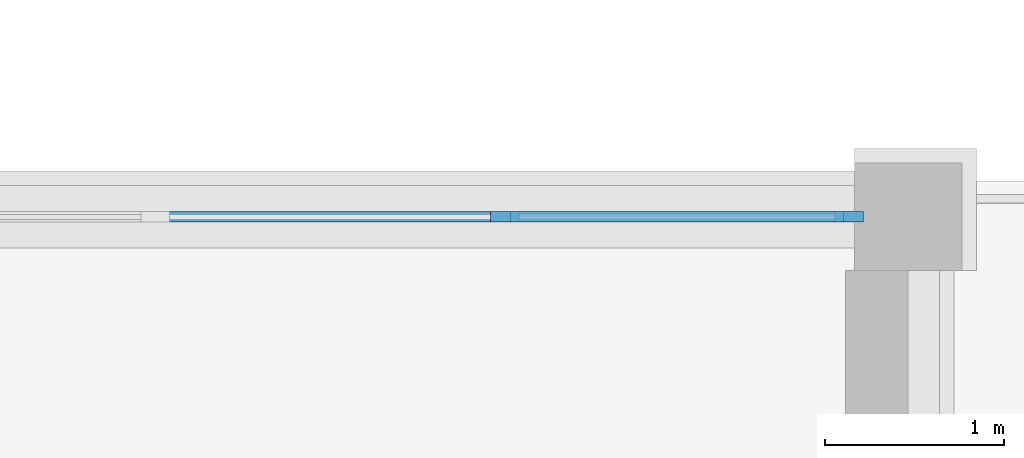
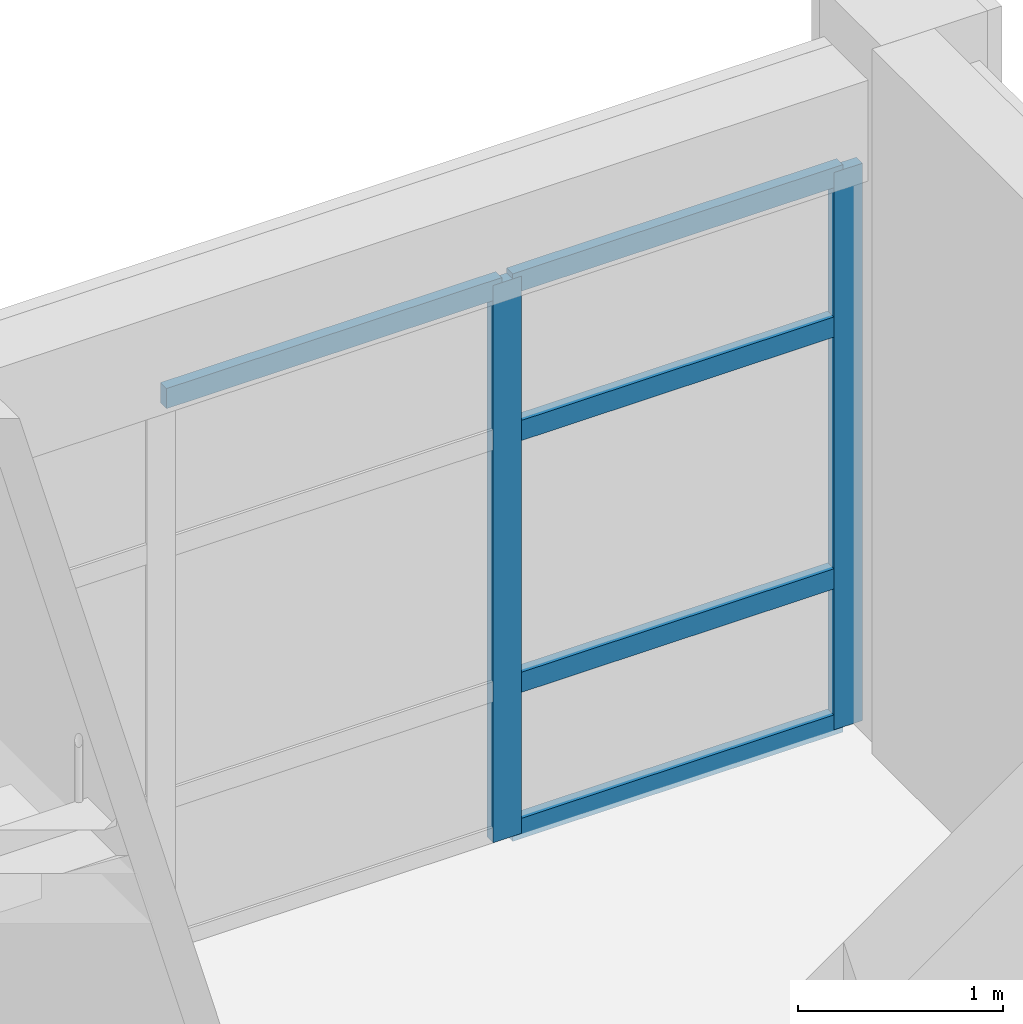
# One storey, part 20 of 71: 7 members, 1 element without a shape of its own.
"""IFC4 building model written with IfcOpenShell, lengths in metres."""

from ifc_helpers import new_model, si_unit, direction, frame, origin, origin_2d, place, context, subcontext, project, spatial, rectangle, extrude, material, layer, layer_set, material_profile, profile_set, type_object, element, aggregate, save


model = new_model("IFC4")

# Units and contexts
model_context = context("Model", 3, precision=1e-05, world=origin(), true_north=direction((0.0, 1.0)))
body_context = subcontext(model_context, "Body", "Model", "MODEL_VIEW")
ifc_project = project(units=[si_unit("LENGTHUNIT", "METRE"), si_unit("AREAUNIT", "SQUARE_METRE"), si_unit("VOLUMEUNIT", "CUBIC_METRE"), si_unit("PLANEANGLEUNIT", "RADIAN"), si_unit("MASSUNIT", "GRAM", prefix="KILO")], contexts=[model_context])

# Site, building, storey
site_placement = place(None, origin())
site = spatial("IfcSite", under=ifc_project, at=site_placement, CompositionType="ELEMENT")
building_placement = place(site_placement, origin())
building = spatial("IfcBuilding", under=site, at=building_placement, Name="Wasatch Bagh Community Centre", CompositionType="ELEMENT")
storey_placement = place(building_placement, frame((0.0, 0.0, 12.60009765625)))
storey = spatial("IfcBuildingStorey", under=building, at=storey_placement, Name="L03", CompositionType="ELEMENT", Elevation=12.60009765625)

# Curtain wall, members
ifc_material_1 = material(Name="Aluminium curtain wall frame with low-iron glass", Category="aluminium")
ifc_layer = layer(ifc_material_1, 0.10009765625)
ifc_layer_set = layer_set([ifc_layer], Name="Aluminium curtain wall frame with low-iron glass")
curtain_wall_type = type_object("IfcCurtainWallType", Name="LW curtain wall 100", PredefinedType="NOTDEFINED", material=ifc_layer_set)
curtain_wall_placement = place(storey_placement, origin())
curtain_wall = element("IfcCurtainWall", 1, at=curtain_wall_placement, inside=storey, type_object=curtain_wall_type, Name="Curtain wall 03.05", PredefinedType="NOTDEFINED")
ifc_material_2 = material(Name="Aluminium extrusion", Category="aluminium")
ifc_material_profile_1 = material_profile(ifc_material_2, rectangle(XDim=0.06005859375, YDim=0.159912109375, at=origin_2d()), Name="AL 60x160")
ifc_profile_set_1 = profile_set([ifc_material_profile_1], Name="Aluminium extrusion")
member_type_1 = type_object("IfcMemberType", Name="LW curtain wall mullion 60x160", PredefinedType="MULLION", material=ifc_profile_set_1)
member_1_placement = place(storey_placement, frame((128.949951171875, 97.800048828125, 0.0), z_axis=(0.0, 0.0, 1.0), x_axis=(0.0, 1.0, 0.0)))
member_1 = element("IfcMember", 2, at=member_1_placement, type_object=member_type_1, Name="LW-CW1 mullion 4", PredefinedType="MULLION", context=body_context, shape_type="SweptSolid", body=[
    extrude(rectangle(XDim=0.06005859375, YDim=0.159912109375, at=origin_2d()), origin(), (0.0, 0.0, 1.0), 3.31982421875),
])
member_2_placement = place(storey_placement, frame((130.8701171875, 97.800048828125, 0.0), z_axis=(0.0, 0.0, 1.0), x_axis=(0.0, 1.0, 0.0)))
member_2 = element("IfcMember", 3, at=member_2_placement, type_object=member_type_1, Name="LW-CW1 mullion 5", PredefinedType="MULLION", context=body_context, shape_type="SweptSolid", body=[
    extrude(rectangle(XDim=0.06005859375, YDim=0.159912109375, at=origin_2d()), origin(), (0.0, 0.0, 1.0), 3.31982421875),
])
ifc_material_profile_2 = material_profile(ifc_material_2, rectangle(XDim=0.06005859375, YDim=0.1201171875, at=origin_2d()), Name="AL 60x120")
ifc_profile_set_2 = profile_set([ifc_material_profile_2], Name="Aluminium extrusion")
member_type_2 = type_object("IfcMemberType", Name="LW curtain wall transom 60x120", PredefinedType="USERDEFINED", material=ifc_profile_set_2)
member_3_placement = place(storey_placement, frame((127.030029296875, 97.800048828125, 3.289794921875), z_axis=(1.0, 0.0, 0.0), x_axis=(0.0, 1.0, 0.0)))
member_3 = element("IfcMember", 4, at=member_3_placement, type_object=member_type_2, Name="LW-CW1 transom 3.4", ObjectType="TRANSOM", PredefinedType="USERDEFINED", context=body_context, shape_type="SweptSolid", body=[
    extrude(rectangle(XDim=0.06005859375, YDim=0.1201171875, at=origin_2d()), origin(), (0.0, 0.0, 1.0), 1.889892578125),
])
member_4_placement = place(storey_placement, frame((128.97998046875, 97.800048828125, 0.02978515625), z_axis=(1.0, 0.0, 0.0), x_axis=(0.0, 1.0, 0.0)))
member_4 = element("IfcMember", 5, at=member_4_placement, type_object=member_type_2, Name="LW-CW1 transom 4.1", ObjectType="TRANSOM", PredefinedType="USERDEFINED", context=body_context, shape_type="SweptSolid", body=[
    extrude(rectangle(XDim=0.06005859375, YDim=0.1201171875, at=origin_2d()), origin(), (0.0, 0.0, 1.0), 1.860107421875),
])
member_5_placement = place(storey_placement, frame((128.97998046875, 97.800048828125, 0.89990234375), z_axis=(1.0, 0.0, 0.0), x_axis=(0.0, 1.0, 0.0)))
member_5 = element("IfcMember", 6, at=member_5_placement, type_object=member_type_2, Name="LW-CW1 transom 4.2", ObjectType="TRANSOM", PredefinedType="USERDEFINED", context=body_context, shape_type="SweptSolid", body=[
    extrude(rectangle(XDim=0.06005859375, YDim=0.1201171875, at=origin_2d()), origin(), (0.0, 0.0, 1.0), 1.860107421875),
])
member_6_placement = place(storey_placement, frame((128.97998046875, 97.800048828125, 2.39990234375), z_axis=(1.0, 0.0, 0.0), x_axis=(0.0, 1.0, 0.0)))
member_6 = element("IfcMember", 7, at=member_6_placement, type_object=member_type_2, Name="LW-CW1 transom 4.3", ObjectType="TRANSOM", PredefinedType="USERDEFINED", context=body_context, shape_type="SweptSolid", body=[
    extrude(rectangle(XDim=0.06005859375, YDim=0.1201171875, at=origin_2d()), origin(), (0.0, 0.0, 1.0), 1.860107421875),
])
member_7_placement = place(storey_placement, frame((128.97998046875, 97.800048828125, 3.289794921875), z_axis=(1.0, 0.0, 0.0), x_axis=(0.0, 1.0, 0.0)))
member_7 = element("IfcMember", 8, at=member_7_placement, type_object=member_type_2, Name="LW-CW1 transom 4.4", ObjectType="TRANSOM", PredefinedType="USERDEFINED", context=body_context, shape_type="SweptSolid", body=[
    extrude(rectangle(XDim=0.06005859375, YDim=0.1201171875, at=origin_2d()), origin(), (0.0, 0.0, 1.0), 1.860107421875),
])
aggregate(curtain_wall, [member_1, member_2, member_3, member_4, member_5, member_6, member_7])

save(model, "model.ifc")
